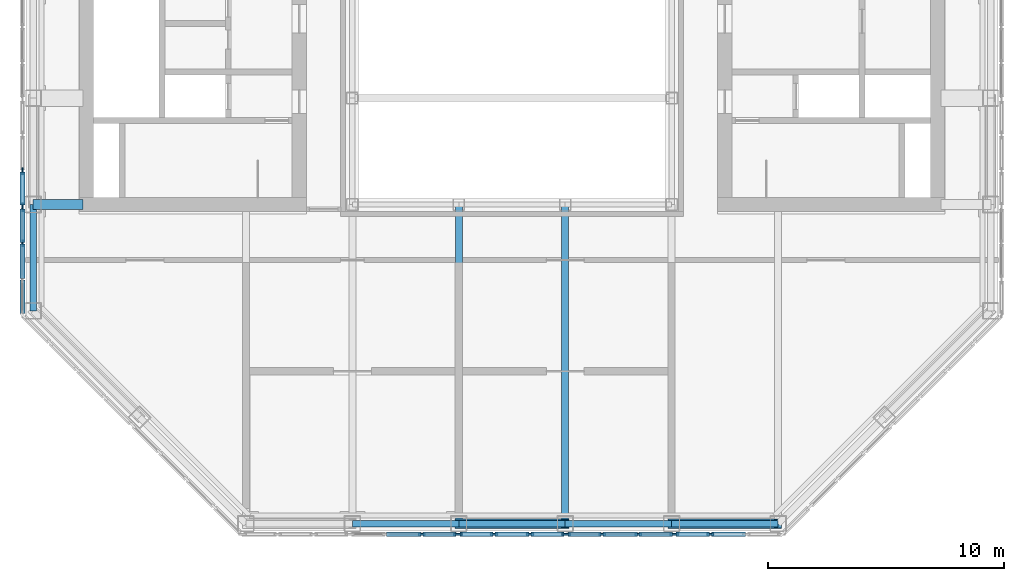
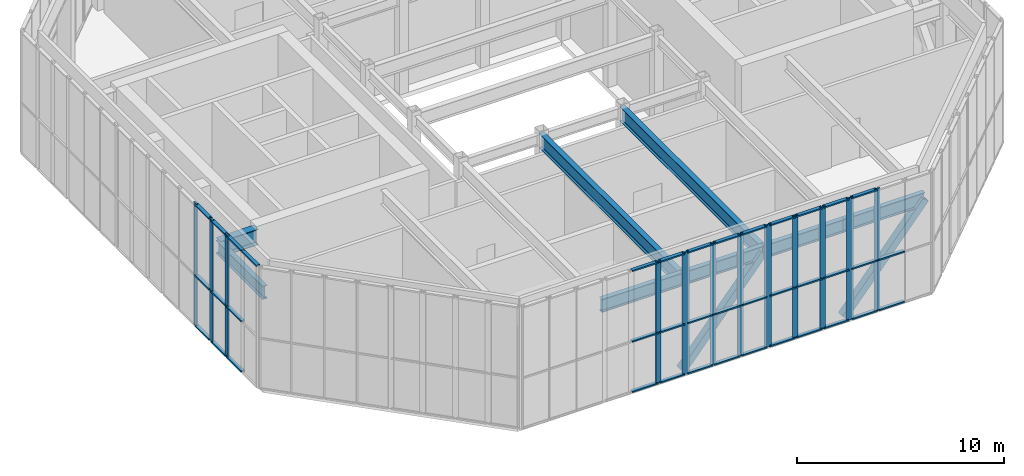
# One storey, part 3 of 15: 57 members, 8 beams, 6 elements without a shape of their own.
"""IFC4 building model written with IfcOpenShell, lengths in metres."""

from ifc_helpers import new_model, si_unit, direction, frame, origin, origin_2d, place, context, subcontext, project, spatial, rectangle, hollow_rectangle, i_section, extrude, material, material_profile, profile_set, type_object, element, aggregate, save


model = new_model("IFC4")

# Units and contexts
model_context = context("Model", 3, precision=1e-05, world=origin(), true_north=direction((0.0, 1.0)))
body_context = subcontext(model_context, "Body", "Model", "MODEL_VIEW")
ifc_project = project(units=[si_unit("LENGTHUNIT", "METRE"), si_unit("AREAUNIT", "SQUARE_METRE"), si_unit("VOLUMEUNIT", "CUBIC_METRE"), si_unit("PLANEANGLEUNIT", "RADIAN"), si_unit("MASSUNIT", "GRAM", prefix="KILO")], contexts=[model_context])

# Site, building, storey
site_placement = place(None, origin())
site = spatial("IfcSite", under=ifc_project, at=site_placement, CompositionType="ELEMENT")
building_placement = place(site_placement, origin())
building = spatial("IfcBuilding", under=site, at=building_placement, Name="Msasa Ring Tower", CompositionType="ELEMENT")
storey_placement = place(building_placement, frame((0.0, 0.0, 268.050048828125)))
storey = spatial("IfcBuildingStorey", under=building, at=storey_placement, Name="L69", CompositionType="ELEMENT", Elevation=268.050048828125)

# Curtain wall, members
ifc_material_1 = material(Name="Aluminium curtain wall with clear glass", Category="aluminium")
curtain_wall_type_1 = type_object("IfcCurtainWallType", Name="CW-L LANTERN CURTAIN WALL", PredefinedType="NOTDEFINED", material=ifc_material_1)
curtain_wall_1_placement = place(storey_placement, origin())
curtain_wall_1 = element("IfcCurtainWall", 1, at=curtain_wall_1_placement, inside=storey, type_object=curtain_wall_type_1, Name="Lantern curtain wall S2 L69", PredefinedType="NOTDEFINED")
ifc_material_2 = material(Name="Aluminium mullion", Category="aluminium")
ifc_material_profile_1 = material_profile(ifc_material_2, rectangle(XDim=0.080078125, YDim=0.300048828125, at=origin_2d()), Name="AL 80x300")
ifc_profile_set_1 = profile_set([ifc_material_profile_1], Name="Aluminium mullion")
member_type_1 = type_object("IfcMemberType", Name="CW-L MULLION 80x300", PredefinedType="MULLION", material=ifc_profile_set_1)
member_1_placement = place(storey_placement, frame((-3.81201171875, -20.699951171875, 0.0), z_axis=(0.0, 0.0, 1.0), x_axis=(0.0, 1.0, 0.0)))
member_1 = element("IfcMember", 2, at=member_1_placement, type_object=member_type_1, Name="CW-L mullion 3", PredefinedType="MULLION", context=body_context, shape_type="SweptSolid", body=[
    extrude(rectangle(XDim=0.080078125, YDim=0.300048828125, at=origin_2d()), origin(), (0.0, 0.0, 1.0), 7.199951171875),
])
member_2_placement = place(storey_placement, frame((-2.327392578125, -20.699951171875, 0.0), z_axis=(0.0, 0.0, 1.0), x_axis=(0.0, 1.0, 0.0)))
member_2 = element("IfcMember", 3, at=member_2_placement, type_object=member_type_1, Name="CW-L mullion 4", PredefinedType="MULLION", context=body_context, shape_type="SweptSolid", body=[
    extrude(rectangle(XDim=0.080078125, YDim=0.300048828125, at=origin_2d()), origin(), (0.0, 0.0, 1.0), 7.199951171875),
])

curtain_wall_2_placement = place(storey_placement, origin())
curtain_wall_2 = element("IfcCurtainWall", 4, at=curtain_wall_2_placement, inside=storey, type_object=curtain_wall_type_1, Name="Lantern curtain wall S4 L69", PredefinedType="NOTDEFINED")
member_3_placement = place(storey_placement, frame((2.327392578125, -20.699951171875, 0.0), z_axis=(0.0, 0.0, 1.0), x_axis=(0.0, 1.0, 0.0)))
member_3 = element("IfcMember", 5, at=member_3_placement, type_object=member_type_1, Name="CW-L mullion 1", PredefinedType="MULLION", context=body_context, shape_type="SweptSolid", body=[
    extrude(rectangle(XDim=0.080078125, YDim=0.300048828125, at=origin_2d()), origin(), (0.0, 0.0, 1.0), 7.199951171875),
])
member_4_placement = place(storey_placement, frame((3.81201171875, -20.699951171875, 0.0), z_axis=(0.0, 0.0, 1.0), x_axis=(0.0, 1.0, 0.0)))
member_4 = element("IfcMember", 6, at=member_4_placement, type_object=member_type_1, Name="CW-L mullion 2", PredefinedType="MULLION", context=body_context, shape_type="SweptSolid", body=[
    extrude(rectangle(XDim=0.080078125, YDim=0.300048828125, at=origin_2d()), origin(), (0.0, 0.0, 1.0), 7.199951171875),
])
member_5_placement = place(storey_placement, frame((5.3369140625, -20.699951171875, 0.0), z_axis=(0.0, 0.0, 1.0), x_axis=(0.0, 1.0, 0.0)))
member_5 = element("IfcMember", 7, at=member_5_placement, type_object=member_type_1, Name="CW-L mullion 3", PredefinedType="MULLION", context=body_context, shape_type="SweptSolid", body=[
    extrude(rectangle(XDim=0.080078125, YDim=0.300048828125, at=origin_2d()), origin(), (0.0, 0.0, 1.0), 7.199951171875),
])
member_6_placement = place(storey_placement, frame((6.82177734375, -20.699951171875, 0.0), z_axis=(0.0, 0.0, 1.0), x_axis=(0.0, 1.0, 0.0)))
member_6 = element("IfcMember", 8, at=member_6_placement, type_object=member_type_1, Name="CW-L mullion 4", PredefinedType="MULLION", context=body_context, shape_type="SweptSolid", body=[
    extrude(rectangle(XDim=0.080078125, YDim=0.300048828125, at=origin_2d()), origin(), (0.0, 0.0, 1.0), 7.199951171875),
])

curtain_wall_3_placement = place(storey_placement, origin())
curtain_wall_3 = element("IfcCurtainWall", 9, at=curtain_wall_3_placement, inside=storey, type_object=curtain_wall_type_1, Name="Lantern curtain wall W6 L69", PredefinedType="NOTDEFINED")
member_7_placement = place(storey_placement, frame((-20.699951171875, -6.90185546875, 0.0), z_axis=(0.0, 0.0, 1.0), x_axis=(1.0, 0.0, 0.0)))
member_7 = element("IfcMember", 10, at=member_7_placement, type_object=member_type_1, Name="CW-L mullion 1", PredefinedType="MULLION", context=body_context, shape_type="SweptSolid", body=[
    extrude(rectangle(XDim=0.080078125, YDim=0.300048828125, at=origin_2d()), origin(), (0.0, 0.0, 1.0), 7.199951171875),
])
member_8_placement = place(storey_placement, frame((-20.699951171875, -8.38671875, 0.0), z_axis=(0.0, 0.0, 1.0), x_axis=(1.0, 0.0, 0.0)))
member_8 = element("IfcMember", 11, at=member_8_placement, type_object=member_type_1, Name="CW-L mullion 2", PredefinedType="MULLION", context=body_context, shape_type="SweptSolid", body=[
    extrude(rectangle(XDim=0.080078125, YDim=0.300048828125, at=origin_2d()), origin(), (0.0, 0.0, 1.0), 7.199951171875),
])

# Member
ifc_material_3 = material(Name="Aluminium transom", Category="aluminium")
ifc_material_profile_2 = material_profile(ifc_material_3, rectangle(XDim=0.199951171875, YDim=0.080078125, at=origin_2d()), Name="AL 80x200")
ifc_profile_set_2 = profile_set([ifc_material_profile_2], Name="Aluminium transom")
member_type_2 = type_object("IfcMemberType", Name="CW-L TRANSOM 80x200", PredefinedType="USERDEFINED", material=ifc_profile_set_2)
member_9_placement = place(storey_placement, frame((-5.296875, -20.699951171875, 0.0400390625), z_axis=(1.0, 0.0, 0.0), x_axis=(0.0, 1.0, 0.0)))
member_9 = element("IfcMember", 12, at=member_9_placement, type_object=member_type_2, Name="CW-L transom 2.1", ObjectType="TRANSOM", PredefinedType="USERDEFINED", context=body_context, shape_type="SweptSolid", body=[
    extrude(rectangle(XDim=0.199951171875, YDim=0.080078125, at=origin_2d()), origin(), (0.0, 0.0, 1.0), 1.44482421875),
])

member_10_placement = place(storey_placement, frame((-5.296875, -20.699951171875, 3.0), z_axis=(1.0, 0.0, 0.0), x_axis=(0.0, 1.0, 0.0)))
member_10 = element("IfcMember", 13, at=member_10_placement, type_object=member_type_2, Name="CW-L transom 2.2", ObjectType="TRANSOM", PredefinedType="USERDEFINED", context=body_context, shape_type="SweptSolid", body=[
    extrude(rectangle(XDim=0.199951171875, YDim=0.080078125, at=origin_2d()), origin(), (0.0, 0.0, 1.0), 1.44482421875),
])

member_11_placement = place(storey_placement, frame((-5.296875, -20.699951171875, 7.159912109375), z_axis=(1.0, 0.0, 0.0), x_axis=(0.0, 1.0, 0.0)))
member_11 = element("IfcMember", 14, at=member_11_placement, type_object=member_type_2, Name="CW-L transom 2.3", ObjectType="TRANSOM", PredefinedType="USERDEFINED", context=body_context, shape_type="SweptSolid", body=[
    extrude(rectangle(XDim=0.199951171875, YDim=0.080078125, at=origin_2d()), origin(), (0.0, 0.0, 1.0), 1.44482421875),
])

member_12_placement = place(storey_placement, frame((-3.772216796875, -20.699951171875, 0.0400390625), z_axis=(1.0, 0.0, 0.0), x_axis=(0.0, 1.0, 0.0)))
member_12 = element("IfcMember", 15, at=member_12_placement, type_object=member_type_2, Name="CW-L transom 3.1", ObjectType="TRANSOM", PredefinedType="USERDEFINED", context=body_context, shape_type="SweptSolid", body=[
    extrude(rectangle(XDim=0.199951171875, YDim=0.080078125, at=origin_2d()), origin(), (0.0, 0.0, 1.0), 1.405029296875),
])

member_13_placement = place(storey_placement, frame((-3.772216796875, -20.699951171875, 3.0), z_axis=(1.0, 0.0, 0.0), x_axis=(0.0, 1.0, 0.0)))
member_13 = element("IfcMember", 16, at=member_13_placement, type_object=member_type_2, Name="CW-L transom 3.2", ObjectType="TRANSOM", PredefinedType="USERDEFINED", context=body_context, shape_type="SweptSolid", body=[
    extrude(rectangle(XDim=0.199951171875, YDim=0.080078125, at=origin_2d()), origin(), (0.0, 0.0, 1.0), 1.405029296875),
])

member_14_placement = place(storey_placement, frame((-3.772216796875, -20.699951171875, 7.159912109375), z_axis=(1.0, 0.0, 0.0), x_axis=(0.0, 1.0, 0.0)))
member_14 = element("IfcMember", 17, at=member_14_placement, type_object=member_type_2, Name="CW-L transom 3.3", ObjectType="TRANSOM", PredefinedType="USERDEFINED", context=body_context, shape_type="SweptSolid", body=[
    extrude(rectangle(XDim=0.199951171875, YDim=0.080078125, at=origin_2d()), origin(), (0.0, 0.0, 1.0), 1.405029296875),
])

aggregate(curtain_wall_1, [member_1, member_2, member_9, member_10, member_11, member_12, member_13, member_14])

member_15_placement = place(storey_placement, frame((2.3671875, -20.699951171875, 0.0400390625), z_axis=(1.0, 0.0, 0.0), x_axis=(0.0, 1.0, 0.0)))
member_15 = element("IfcMember", 18, at=member_15_placement, type_object=member_type_2, Name="CW-L transom 1.1", ObjectType="TRANSOM", PredefinedType="USERDEFINED", context=body_context, shape_type="SweptSolid", body=[
    extrude(rectangle(XDim=0.199951171875, YDim=0.080078125, at=origin_2d()), origin(), (0.0, 0.0, 1.0), 1.405029296875),
])

member_16_placement = place(storey_placement, frame((2.3671875, -20.699951171875, 3.0), z_axis=(1.0, 0.0, 0.0), x_axis=(0.0, 1.0, 0.0)))
member_16 = element("IfcMember", 19, at=member_16_placement, type_object=member_type_2, Name="CW-L transom 1.2", ObjectType="TRANSOM", PredefinedType="USERDEFINED", context=body_context, shape_type="SweptSolid", body=[
    extrude(rectangle(XDim=0.199951171875, YDim=0.080078125, at=origin_2d()), origin(), (0.0, 0.0, 1.0), 1.405029296875),
])

member_17_placement = place(storey_placement, frame((2.3671875, -20.699951171875, 7.159912109375), z_axis=(1.0, 0.0, 0.0), x_axis=(0.0, 1.0, 0.0)))
member_17 = element("IfcMember", 20, at=member_17_placement, type_object=member_type_2, Name="CW-L transom 1.3", ObjectType="TRANSOM", PredefinedType="USERDEFINED", context=body_context, shape_type="SweptSolid", body=[
    extrude(rectangle(XDim=0.199951171875, YDim=0.080078125, at=origin_2d()), origin(), (0.0, 0.0, 1.0), 1.405029296875),
])

member_18_placement = place(storey_placement, frame((3.85205078125, -20.699951171875, 0.0400390625), z_axis=(1.0, 0.0, 0.0), x_axis=(0.0, 1.0, 0.0)))
member_18 = element("IfcMember", 21, at=member_18_placement, type_object=member_type_2, Name="CW-L transom 2.1", ObjectType="TRANSOM", PredefinedType="USERDEFINED", context=body_context, shape_type="SweptSolid", body=[
    extrude(rectangle(XDim=0.199951171875, YDim=0.080078125, at=origin_2d()), origin(), (0.0, 0.0, 1.0), 1.44482421875),
])

member_19_placement = place(storey_placement, frame((3.85205078125, -20.699951171875, 3.0), z_axis=(1.0, 0.0, 0.0), x_axis=(0.0, 1.0, 0.0)))
member_19 = element("IfcMember", 22, at=member_19_placement, type_object=member_type_2, Name="CW-L transom 2.2", ObjectType="TRANSOM", PredefinedType="USERDEFINED", context=body_context, shape_type="SweptSolid", body=[
    extrude(rectangle(XDim=0.199951171875, YDim=0.080078125, at=origin_2d()), origin(), (0.0, 0.0, 1.0), 1.44482421875),
])

member_20_placement = place(storey_placement, frame((3.85205078125, -20.699951171875, 7.159912109375), z_axis=(1.0, 0.0, 0.0), x_axis=(0.0, 1.0, 0.0)))
member_20 = element("IfcMember", 23, at=member_20_placement, type_object=member_type_2, Name="CW-L transom 2.3", ObjectType="TRANSOM", PredefinedType="USERDEFINED", context=body_context, shape_type="SweptSolid", body=[
    extrude(rectangle(XDim=0.199951171875, YDim=0.080078125, at=origin_2d()), origin(), (0.0, 0.0, 1.0), 1.44482421875),
])

member_21_placement = place(storey_placement, frame((5.376953125, -20.699951171875, 0.0400390625), z_axis=(1.0, 0.0, 0.0), x_axis=(0.0, 1.0, 0.0)))
member_21 = element("IfcMember", 24, at=member_21_placement, type_object=member_type_2, Name="CW-L transom 3.1", ObjectType="TRANSOM", PredefinedType="USERDEFINED", context=body_context, shape_type="SweptSolid", body=[
    extrude(rectangle(XDim=0.199951171875, YDim=0.080078125, at=origin_2d()), origin(), (0.0, 0.0, 1.0), 1.40478515625),
])

member_22_placement = place(storey_placement, frame((5.376953125, -20.699951171875, 3.0), z_axis=(1.0, 0.0, 0.0), x_axis=(0.0, 1.0, 0.0)))
member_22 = element("IfcMember", 25, at=member_22_placement, type_object=member_type_2, Name="CW-L transom 3.2", ObjectType="TRANSOM", PredefinedType="USERDEFINED", context=body_context, shape_type="SweptSolid", body=[
    extrude(rectangle(XDim=0.199951171875, YDim=0.080078125, at=origin_2d()), origin(), (0.0, 0.0, 1.0), 1.40478515625),
])

member_23_placement = place(storey_placement, frame((5.376953125, -20.699951171875, 7.159912109375), z_axis=(1.0, 0.0, 0.0), x_axis=(0.0, 1.0, 0.0)))
member_23 = element("IfcMember", 26, at=member_23_placement, type_object=member_type_2, Name="CW-L transom 3.3", ObjectType="TRANSOM", PredefinedType="USERDEFINED", context=body_context, shape_type="SweptSolid", body=[
    extrude(rectangle(XDim=0.199951171875, YDim=0.080078125, at=origin_2d()), origin(), (0.0, 0.0, 1.0), 1.40478515625),
])

aggregate(curtain_wall_2, [member_3, member_4, member_5, member_6, member_15, member_16, member_17, member_18, member_19, member_20, member_21, member_22, member_23])

member_24_placement = place(storey_placement, frame((-20.699951171875, -6.94189453125, 0.0400390625), z_axis=(0.0, -1.0, 0.0), x_axis=(1.0, 0.0, 0.0)))
member_24 = element("IfcMember", 27, at=member_24_placement, type_object=member_type_2, Name="CW-L transom 1.1", ObjectType="TRANSOM", PredefinedType="USERDEFINED", context=body_context, shape_type="SweptSolid", body=[
    extrude(rectangle(XDim=0.199951171875, YDim=0.080078125, at=origin_2d()), origin(), (0.0, 0.0, 1.0), 1.40478515625),
])

member_25_placement = place(storey_placement, frame((-20.699951171875, -6.94189453125, 3.0), z_axis=(0.0, -1.0, 0.0), x_axis=(1.0, 0.0, 0.0)))
member_25 = element("IfcMember", 28, at=member_25_placement, type_object=member_type_2, Name="CW-L transom 1.2", ObjectType="TRANSOM", PredefinedType="USERDEFINED", context=body_context, shape_type="SweptSolid", body=[
    extrude(rectangle(XDim=0.199951171875, YDim=0.080078125, at=origin_2d()), origin(), (0.0, 0.0, 1.0), 1.40478515625),
])

member_26_placement = place(storey_placement, frame((-20.699951171875, -6.94189453125, 7.159912109375), z_axis=(0.0, -1.0, 0.0), x_axis=(1.0, 0.0, 0.0)))
member_26 = element("IfcMember", 29, at=member_26_placement, type_object=member_type_2, Name="CW-L transom 1.3", ObjectType="TRANSOM", PredefinedType="USERDEFINED", context=body_context, shape_type="SweptSolid", body=[
    extrude(rectangle(XDim=0.199951171875, YDim=0.080078125, at=origin_2d()), origin(), (0.0, 0.0, 1.0), 1.40478515625),
])

member_27_placement = place(storey_placement, frame((-20.699951171875, -8.4267578125, 0.0400390625), z_axis=(0.0, -1.0, 0.0), x_axis=(1.0, 0.0, 0.0)))
member_27 = element("IfcMember", 30, at=member_27_placement, type_object=member_type_2, Name="CW-L transom 2.1", ObjectType="TRANSOM", PredefinedType="USERDEFINED", context=body_context, shape_type="SweptSolid", body=[
    extrude(rectangle(XDim=0.199951171875, YDim=0.080078125, at=origin_2d()), origin(), (0.0, 0.0, 1.0), 1.44482421875),
])

member_28_placement = place(storey_placement, frame((-20.699951171875, -8.4267578125, 3.0), z_axis=(0.0, -1.0, 0.0), x_axis=(1.0, 0.0, 0.0)))
member_28 = element("IfcMember", 31, at=member_28_placement, type_object=member_type_2, Name="CW-L transom 2.2", ObjectType="TRANSOM", PredefinedType="USERDEFINED", context=body_context, shape_type="SweptSolid", body=[
    extrude(rectangle(XDim=0.199951171875, YDim=0.080078125, at=origin_2d()), origin(), (0.0, 0.0, 1.0), 1.44482421875),
])

member_29_placement = place(storey_placement, frame((-20.699951171875, -8.4267578125, 7.159912109375), z_axis=(0.0, -1.0, 0.0), x_axis=(1.0, 0.0, 0.0)))
member_29 = element("IfcMember", 32, at=member_29_placement, type_object=member_type_2, Name="CW-L transom 2.3", ObjectType="TRANSOM", PredefinedType="USERDEFINED", context=body_context, shape_type="SweptSolid", body=[
    extrude(rectangle(XDim=0.199951171875, YDim=0.080078125, at=origin_2d()), origin(), (0.0, 0.0, 1.0), 1.44482421875),
])

member_30_placement = place(storey_placement, frame((-20.699951171875, -9.951416015625, 7.159912109375), z_axis=(0.0, -1.0, 0.0), x_axis=(1.0, 0.0, 0.0)))
member_30 = element("IfcMember", 33, at=member_30_placement, type_object=member_type_2, Name="CW-L transom 3.3", ObjectType="TRANSOM", PredefinedType="USERDEFINED", context=body_context, shape_type="SweptSolid", body=[
    extrude(rectangle(XDim=0.199951171875, YDim=0.080078125, at=origin_2d()), origin(), (0.0, 0.0, 1.0), 1.405029296875),
])

aggregate(curtain_wall_3, [member_7, member_8, member_24, member_25, member_26, member_27, member_28, member_29, member_30])

# Curtain wall, members
ifc_material_4 = material(Name="Aluminium curtain wall with insulated terracotta-faced panels", Category="masonry")
curtain_wall_type_2 = type_object("IfcCurtainWallType", Name="CW-O OPAQUE LANTERN CURTAIN WALL", PredefinedType="NOTDEFINED", material=ifc_material_4)
curtain_wall_4_placement = place(storey_placement, origin())
curtain_wall_4 = element("IfcCurtainWall", 34, at=curtain_wall_4_placement, inside=storey, type_object=curtain_wall_type_2, Name="Lantern opaque curtain wall S3 L69", PredefinedType="NOTDEFINED")
ifc_material_5 = material(Name="Aluminium mullion", Category="aluminium")
ifc_material_profile_3 = material_profile(ifc_material_5, rectangle(XDim=0.080078125, YDim=0.300048828125, at=origin_2d()), Name="AL 80x300")
ifc_profile_set_3 = profile_set([ifc_material_profile_3], Name="Aluminium mullion")
member_type_3 = type_object("IfcMemberType", Name="CW-O MULLION 80x300", PredefinedType="MULLION", material=ifc_profile_set_3)
member_31_placement = place(storey_placement, frame((-2.247314453125, -20.699951171875, 0.0), z_axis=(0.0, 0.0, 1.0), x_axis=(0.0, 1.0, 0.0)))
member_31 = element("IfcMember", 35, at=member_31_placement, type_object=member_type_3, Name="CW-O mullion 1", PredefinedType="MULLION", context=body_context, shape_type="SweptSolid", body=[
    extrude(rectangle(XDim=0.080078125, YDim=0.300048828125, at=origin_2d()), origin(), (0.0, 0.0, 1.0), 7.199951171875),
])
member_32_placement = place(storey_placement, frame((-0.762451171875, -20.699951171875, 0.0), z_axis=(0.0, 0.0, 1.0), x_axis=(0.0, 1.0, 0.0)))
member_32 = element("IfcMember", 36, at=member_32_placement, type_object=member_type_3, Name="CW-O mullion 2", PredefinedType="MULLION", context=body_context, shape_type="SweptSolid", body=[
    extrude(rectangle(XDim=0.080078125, YDim=0.300048828125, at=origin_2d()), origin(), (0.0, 0.0, 1.0), 7.199951171875),
])
member_33_placement = place(storey_placement, frame((0.762451171875, -20.699951171875, 0.0), z_axis=(0.0, 0.0, 1.0), x_axis=(0.0, 1.0, 0.0)))
member_33 = element("IfcMember", 37, at=member_33_placement, type_object=member_type_3, Name="CW-O mullion 3", PredefinedType="MULLION", context=body_context, shape_type="SweptSolid", body=[
    extrude(rectangle(XDim=0.080078125, YDim=0.300048828125, at=origin_2d()), origin(), (0.0, 0.0, 1.0), 7.199951171875),
])
member_34_placement = place(storey_placement, frame((2.247314453125, -20.699951171875, 0.0), z_axis=(0.0, 0.0, 1.0), x_axis=(0.0, 1.0, 0.0)))
member_34 = element("IfcMember", 38, at=member_34_placement, type_object=member_type_3, Name="CW-O mullion 4", PredefinedType="MULLION", context=body_context, shape_type="SweptSolid", body=[
    extrude(rectangle(XDim=0.080078125, YDim=0.300048828125, at=origin_2d()), origin(), (0.0, 0.0, 1.0), 7.199951171875),
])

curtain_wall_5_placement = place(storey_placement, origin())
curtain_wall_5 = element("IfcCurtainWall", 39, at=curtain_wall_5_placement, inside=storey, type_object=curtain_wall_type_2, Name="Lantern opaque curtain wall S5 L69", PredefinedType="NOTDEFINED")
member_35_placement = place(storey_placement, frame((6.90185546875, -20.699951171875, 0.0), z_axis=(0.0, 0.0, 1.0), x_axis=(0.0, 1.0, 0.0)))
member_35 = element("IfcMember", 40, at=member_35_placement, type_object=member_type_3, Name="CW-O mullion 1", PredefinedType="MULLION", context=body_context, shape_type="SweptSolid", body=[
    extrude(rectangle(XDim=0.080078125, YDim=0.300048828125, at=origin_2d()), origin(), (0.0, 0.0, 1.0), 7.199951171875),
])
member_36_placement = place(storey_placement, frame((8.38671875, -20.699951171875, 0.0), z_axis=(0.0, 0.0, 1.0), x_axis=(0.0, 1.0, 0.0)))
member_36 = element("IfcMember", 41, at=member_36_placement, type_object=member_type_3, Name="CW-O mullion 2", PredefinedType="MULLION", context=body_context, shape_type="SweptSolid", body=[
    extrude(rectangle(XDim=0.080078125, YDim=0.300048828125, at=origin_2d()), origin(), (0.0, 0.0, 1.0), 7.199951171875),
])

curtain_wall_6_placement = place(storey_placement, origin())
curtain_wall_6 = element("IfcCurtainWall", 42, at=curtain_wall_6_placement, inside=storey, type_object=curtain_wall_type_2, Name="Lantern opaque curtain wall W5 L69", PredefinedType="NOTDEFINED")
member_37_placement = place(storey_placement, frame((-20.699951171875, -5.3369140625, 0.0), z_axis=(0.0, 0.0, 1.0), x_axis=(1.0, 0.0, 0.0)))
member_37 = element("IfcMember", 43, at=member_37_placement, type_object=member_type_3, Name="CW-O mullion 3", PredefinedType="MULLION", context=body_context, shape_type="SweptSolid", body=[
    extrude(rectangle(XDim=0.080078125, YDim=0.300048828125, at=origin_2d()), origin(), (0.0, 0.0, 1.0), 7.199951171875),
])
member_38_placement = place(storey_placement, frame((-20.699951171875, -6.82177734375, 0.0), z_axis=(0.0, 0.0, 1.0), x_axis=(1.0, 0.0, 0.0)))
member_38 = element("IfcMember", 44, at=member_38_placement, type_object=member_type_3, Name="CW-O mullion 4", PredefinedType="MULLION", context=body_context, shape_type="SweptSolid", body=[
    extrude(rectangle(XDim=0.080078125, YDim=0.300048828125, at=origin_2d()), origin(), (0.0, 0.0, 1.0), 7.199951171875),
])

# Member
ifc_material_6 = material(Name="Aluminium transom", Category="aluminium")
ifc_material_profile_4 = material_profile(ifc_material_6, rectangle(XDim=0.199951171875, YDim=0.080078125, at=origin_2d()), Name="AL 80x200")
ifc_profile_set_4 = profile_set([ifc_material_profile_4], Name="Aluminium transom")
member_type_4 = type_object("IfcMemberType", Name="CW-O TRANSOM 80x200", PredefinedType="USERDEFINED", material=ifc_profile_set_4)
member_39_placement = place(storey_placement, frame((-2.207275390625, -20.699951171875, 0.0400390625), z_axis=(1.0, 0.0, 0.0), x_axis=(0.0, 1.0, 0.0)))
member_39 = element("IfcMember", 45, at=member_39_placement, type_object=member_type_4, Name="CW-O transom 1.1", ObjectType="TRANSOM", PredefinedType="USERDEFINED", context=body_context, shape_type="SweptSolid", body=[
    extrude(rectangle(XDim=0.199951171875, YDim=0.080078125, at=origin_2d()), origin(), (0.0, 0.0, 1.0), 1.40478515625),
])

member_40_placement = place(storey_placement, frame((-2.207275390625, -20.699951171875, 3.0), z_axis=(1.0, 0.0, 0.0), x_axis=(0.0, 1.0, 0.0)))
member_40 = element("IfcMember", 46, at=member_40_placement, type_object=member_type_4, Name="CW-O transom 1.2", ObjectType="TRANSOM", PredefinedType="USERDEFINED", context=body_context, shape_type="SweptSolid", body=[
    extrude(rectangle(XDim=0.199951171875, YDim=0.080078125, at=origin_2d()), origin(), (0.0, 0.0, 1.0), 1.40478515625),
])

member_41_placement = place(storey_placement, frame((-2.207275390625, -20.699951171875, 7.159912109375), z_axis=(1.0, 0.0, 0.0), x_axis=(0.0, 1.0, 0.0)))
member_41 = element("IfcMember", 47, at=member_41_placement, type_object=member_type_4, Name="CW-O transom 1.3", ObjectType="TRANSOM", PredefinedType="USERDEFINED", context=body_context, shape_type="SweptSolid", body=[
    extrude(rectangle(XDim=0.199951171875, YDim=0.080078125, at=origin_2d()), origin(), (0.0, 0.0, 1.0), 1.40478515625),
])

member_42_placement = place(storey_placement, frame((-0.722412109375, -20.699951171875, 0.0400390625), z_axis=(1.0, 0.0, 0.0), x_axis=(0.0, 1.0, 0.0)))
member_42 = element("IfcMember", 48, at=member_42_placement, type_object=member_type_4, Name="CW-O transom 2.1", ObjectType="TRANSOM", PredefinedType="USERDEFINED", context=body_context, shape_type="SweptSolid", body=[
    extrude(rectangle(XDim=0.199951171875, YDim=0.080078125, at=origin_2d()), origin(), (0.0, 0.0, 1.0), 1.44482421875),
])

member_43_placement = place(storey_placement, frame((-0.722412109375, -20.699951171875, 3.0), z_axis=(1.0, 0.0, 0.0), x_axis=(0.0, 1.0, 0.0)))
member_43 = element("IfcMember", 49, at=member_43_placement, type_object=member_type_4, Name="CW-O transom 2.2", ObjectType="TRANSOM", PredefinedType="USERDEFINED", context=body_context, shape_type="SweptSolid", body=[
    extrude(rectangle(XDim=0.199951171875, YDim=0.080078125, at=origin_2d()), origin(), (0.0, 0.0, 1.0), 1.44482421875),
])

member_44_placement = place(storey_placement, frame((-0.722412109375, -20.699951171875, 7.159912109375), z_axis=(1.0, 0.0, 0.0), x_axis=(0.0, 1.0, 0.0)))
member_44 = element("IfcMember", 50, at=member_44_placement, type_object=member_type_4, Name="CW-O transom 2.3", ObjectType="TRANSOM", PredefinedType="USERDEFINED", context=body_context, shape_type="SweptSolid", body=[
    extrude(rectangle(XDim=0.199951171875, YDim=0.080078125, at=origin_2d()), origin(), (0.0, 0.0, 1.0), 1.44482421875),
])

member_45_placement = place(storey_placement, frame((0.802490234375, -20.699951171875, 0.0400390625), z_axis=(1.0, 0.0, 0.0), x_axis=(0.0, 1.0, 0.0)))
member_45 = element("IfcMember", 51, at=member_45_placement, type_object=member_type_4, Name="CW-O transom 3.1", ObjectType="TRANSOM", PredefinedType="USERDEFINED", context=body_context, shape_type="SweptSolid", body=[
    extrude(rectangle(XDim=0.199951171875, YDim=0.080078125, at=origin_2d()), origin(), (0.0, 0.0, 1.0), 1.40478515625),
])

member_46_placement = place(storey_placement, frame((0.802490234375, -20.699951171875, 3.0), z_axis=(1.0, 0.0, 0.0), x_axis=(0.0, 1.0, 0.0)))
member_46 = element("IfcMember", 52, at=member_46_placement, type_object=member_type_4, Name="CW-O transom 3.2", ObjectType="TRANSOM", PredefinedType="USERDEFINED", context=body_context, shape_type="SweptSolid", body=[
    extrude(rectangle(XDim=0.199951171875, YDim=0.080078125, at=origin_2d()), origin(), (0.0, 0.0, 1.0), 1.40478515625),
])

member_47_placement = place(storey_placement, frame((0.802490234375, -20.699951171875, 7.159912109375), z_axis=(1.0, 0.0, 0.0), x_axis=(0.0, 1.0, 0.0)))
member_47 = element("IfcMember", 53, at=member_47_placement, type_object=member_type_4, Name="CW-O transom 3.3", ObjectType="TRANSOM", PredefinedType="USERDEFINED", context=body_context, shape_type="SweptSolid", body=[
    extrude(rectangle(XDim=0.199951171875, YDim=0.080078125, at=origin_2d()), origin(), (0.0, 0.0, 1.0), 1.40478515625),
])

aggregate(curtain_wall_4, [member_31, member_32, member_33, member_34, member_39, member_40, member_41, member_42, member_43, member_44, member_45, member_46, member_47])

member_48_placement = place(storey_placement, frame((6.94189453125, -20.699951171875, 0.0400390625), z_axis=(1.0, 0.0, 0.0), x_axis=(0.0, 1.0, 0.0)))
member_48 = element("IfcMember", 54, at=member_48_placement, type_object=member_type_4, Name="CW-O transom 1.1", ObjectType="TRANSOM", PredefinedType="USERDEFINED", context=body_context, shape_type="SweptSolid", body=[
    extrude(rectangle(XDim=0.199951171875, YDim=0.080078125, at=origin_2d()), origin(), (0.0, 0.0, 1.0), 1.40478515625),
])

member_49_placement = place(storey_placement, frame((6.94189453125, -20.699951171875, 3.0), z_axis=(1.0, 0.0, 0.0), x_axis=(0.0, 1.0, 0.0)))
member_49 = element("IfcMember", 55, at=member_49_placement, type_object=member_type_4, Name="CW-O transom 1.2", ObjectType="TRANSOM", PredefinedType="USERDEFINED", context=body_context, shape_type="SweptSolid", body=[
    extrude(rectangle(XDim=0.199951171875, YDim=0.080078125, at=origin_2d()), origin(), (0.0, 0.0, 1.0), 1.40478515625),
])

member_50_placement = place(storey_placement, frame((6.94189453125, -20.699951171875, 7.159912109375), z_axis=(1.0, 0.0, 0.0), x_axis=(0.0, 1.0, 0.0)))
member_50 = element("IfcMember", 56, at=member_50_placement, type_object=member_type_4, Name="CW-O transom 1.3", ObjectType="TRANSOM", PredefinedType="USERDEFINED", context=body_context, shape_type="SweptSolid", body=[
    extrude(rectangle(XDim=0.199951171875, YDim=0.080078125, at=origin_2d()), origin(), (0.0, 0.0, 1.0), 1.40478515625),
])

member_51_placement = place(storey_placement, frame((8.4267578125, -20.699951171875, 0.0400390625), z_axis=(1.0, 0.0, 0.0), x_axis=(0.0, 1.0, 0.0)))
member_51 = element("IfcMember", 57, at=member_51_placement, type_object=member_type_4, Name="CW-O transom 2.1", ObjectType="TRANSOM", PredefinedType="USERDEFINED", context=body_context, shape_type="SweptSolid", body=[
    extrude(rectangle(XDim=0.199951171875, YDim=0.080078125, at=origin_2d()), origin(), (0.0, 0.0, 1.0), 1.44482421875),
])

member_52_placement = place(storey_placement, frame((8.4267578125, -20.699951171875, 3.0), z_axis=(1.0, 0.0, 0.0), x_axis=(0.0, 1.0, 0.0)))
member_52 = element("IfcMember", 58, at=member_52_placement, type_object=member_type_4, Name="CW-O transom 2.2", ObjectType="TRANSOM", PredefinedType="USERDEFINED", context=body_context, shape_type="SweptSolid", body=[
    extrude(rectangle(XDim=0.199951171875, YDim=0.080078125, at=origin_2d()), origin(), (0.0, 0.0, 1.0), 1.44482421875),
])

aggregate(curtain_wall_5, [member_35, member_36, member_48, member_49, member_50, member_51, member_52])

member_53_placement = place(storey_placement, frame((-20.699951171875, -5.376953125, 0.0400390625), z_axis=(0.0, -1.0, 0.0), x_axis=(1.0, 0.0, 0.0)))
member_53 = element("IfcMember", 59, at=member_53_placement, type_object=member_type_4, Name="CW-O transom 3.1", ObjectType="TRANSOM", PredefinedType="USERDEFINED", context=body_context, shape_type="SweptSolid", body=[
    extrude(rectangle(XDim=0.199951171875, YDim=0.080078125, at=origin_2d()), origin(), (0.0, 0.0, 1.0), 1.40478515625),
])

member_54_placement = place(storey_placement, frame((-20.699951171875, -5.376953125, 3.0), z_axis=(0.0, -1.0, 0.0), x_axis=(1.0, 0.0, 0.0)))
member_54 = element("IfcMember", 60, at=member_54_placement, type_object=member_type_4, Name="CW-O transom 3.2", ObjectType="TRANSOM", PredefinedType="USERDEFINED", context=body_context, shape_type="SweptSolid", body=[
    extrude(rectangle(XDim=0.199951171875, YDim=0.080078125, at=origin_2d()), origin(), (0.0, 0.0, 1.0), 1.40478515625),
])

member_55_placement = place(storey_placement, frame((-20.699951171875, -5.376953125, 7.159912109375), z_axis=(0.0, -1.0, 0.0), x_axis=(1.0, 0.0, 0.0)))
member_55 = element("IfcMember", 61, at=member_55_placement, type_object=member_type_4, Name="CW-O transom 3.3", ObjectType="TRANSOM", PredefinedType="USERDEFINED", context=body_context, shape_type="SweptSolid", body=[
    extrude(rectangle(XDim=0.199951171875, YDim=0.080078125, at=origin_2d()), origin(), (0.0, 0.0, 1.0), 1.40478515625),
])

aggregate(curtain_wall_6, [member_37, member_38, member_53, member_54, member_55])

# Beams
ifc_material_7 = material(Name="Steel S355", Category="steel")
ifc_material_profile_5 = material_profile(ifc_material_7, i_section(OverallWidth=0.293701171875, OverallDepth=0.850830078125, WebThickness=0.01611328125, FlangeThickness=0.02685546875, FilletRadius=0.017822265625, at=origin_2d()), Name="UB 838x292x226")
ifc_profile_set_5 = profile_set([ifc_material_profile_5], Name="Steel S355")
beam_type_1 = type_object("IfcBeamType", Name="FB5 UB 838x292x226", PredefinedType="BEAM", material=ifc_profile_set_5)
for number, where, z_axis, x_axis, name in (
    (62, (-2.25, -20.25, 5.324462890625), (0.0, 1.0, 0.0), (-1.0, 0.0, 0.0), "Floor beam S-2.25 under roof"),
    (63, (2.25, -20.25, 5.324462890625), (0.0, 1.0, 0.0), (-1.0, 0.0, 0.0), "Floor beam S+2.25 under roof"),
):
    element("IfcBeam", number, at=place(storey_placement, frame(where, z_axis=z_axis, x_axis=x_axis)), inside=storey, type_object=beam_type_1, Name=name, PredefinedType="BEAM", context=body_context, shape_type="SweptSolid", body=[
        extrude(i_section(OverallWidth=0.293701171875, OverallDepth=0.850830078125, WebThickness=0.01611328125, FlangeThickness=0.02685546875, FilletRadius=0.017822265625, at=origin_2d()), origin(), (0.0, 0.0, 1.0), 13.5),
    ])
ifc_material_8 = material(Name="Steel S355", Category="steel")
ifc_material_profile_6 = material_profile(ifc_material_8, i_section(OverallWidth=0.42041015625, OverallDepth=0.9208984375, WebThickness=0.021484375, FlangeThickness=0.03662109375, FilletRadius=0.024169921875, at=origin_2d()), Name="UB 914x419x388")
ifc_profile_set_6 = profile_set([ifc_material_profile_6], Name="Steel S355")
beam_type_2 = type_object("IfcBeamType", Name="GB1 UB 914x419x388", PredefinedType="BEAM", material=ifc_profile_set_6)
beam_placement = place(storey_placement, frame((-18.14990234375, -6.75, 5.28955078125), z_axis=(-1.0, 0.0, 0.0), x_axis=(0.0, -1.0, 0.0)))
element("IfcBeam", 64, at=beam_placement, inside=storey, type_object=beam_type_2, Name="Girder W -6.75 under roof", PredefinedType="BEAM", context=body_context, shape_type="SweptSolid", body=[
    extrude(i_section(OverallWidth=0.42041015625, OverallDepth=0.9208984375, WebThickness=0.021484375, FlangeThickness=0.03662109375, FilletRadius=0.024169921875, at=origin_2d()), origin(), (0.0, 0.0, 1.0), 2.10009765625),
])

# Members
ifc_material_9 = material(Name="Steel S355", Category="steel")
ifc_material_profile_7 = material_profile(ifc_material_9, hollow_rectangle(XDim=0.39990234375, YDim=0.39990234375, WallThickness=0.02001953125, at=origin_2d()), Name="SHS 400x400x20")
ifc_profile_set_7 = profile_set([ifc_material_profile_7], Name="Steel S355")
member_type_5 = type_object("IfcMemberType", Name="HT1 SHS 400x400x20", PredefinedType="BRACE", material=ifc_profile_set_7)
for number, where, z_axis, x_axis, name in (
    (65, (-2.25, -20.25, 0.0), (0.642639992049, 0.0, 0.766168284791), (0.0, 1.0, 0.0), "Hat truss brace S-2.25 L69"),
    (66, (6.75, -20.25, 0.0), (0.642639992049, 0.0, 0.766168284791), (0.0, 1.0, 0.0), "Hat truss brace S+6.75 L69"),
):
    element("IfcMember", number, at=place(storey_placement, frame(where, z_axis=z_axis, x_axis=x_axis)), inside=storey, type_object=member_type_5, Name=name, PredefinedType="BRACE", context=body_context, shape_type="SweptSolid", body=[
        extrude(hollow_rectangle(XDim=0.39990234375, YDim=0.39990234375, WallThickness=0.02001953125, at=origin_2d()), origin(), (0.0, 0.0, 1.0), 7.00244140625),
    ])

# Beams
ifc_material_10 = material(Name="Steel S355", Category="steel")
ifc_material_profile_8 = material_profile(ifc_material_10, i_section(OverallWidth=0.26806640625, OverallDepth=0.769775390625, WebThickness=0.015625, FlangeThickness=0.025390625, FilletRadius=0.0166015625, at=origin_2d()), Name="UB 762x267x197")
ifc_profile_set_8 = profile_set([ifc_material_profile_8], Name="Steel S355")
beam_type_3 = type_object("IfcBeamType", Name="SB4 UB 762x267x197", PredefinedType="SPANDREL", material=ifc_profile_set_8)
for number, where, z_axis, x_axis, name in (
    (67, (-20.25, -6.75, 5.364990234375), (0.0, -1.0, 0.0), (1.0, 0.0, 0.0), "Spandrel W-6.75 to W-11.25 under roof"),
    (68, (-6.75, -20.25, 5.364990234375), (1.0, 0.0, 0.0), (0.0, 1.0, 0.0), "Spandrel S-6.75 to S-2.25 under roof"),
    (69, (-2.25, -20.25, 5.364990234375), (1.0, 0.0, 0.0), (0.0, 1.0, 0.0), "Spandrel S-2.25 to S+2.25 under roof"),
    (70, (2.25, -20.25, 5.364990234375), (1.0, 0.0, 0.0), (0.0, 1.0, 0.0), "Spandrel S+2.25 to S+6.75 under roof"),
    (71, (6.75, -20.25, 5.364990234375), (1.0, 0.0, 0.0), (0.0, 1.0, 0.0), "Spandrel S+6.75 to S+11.25 under roof"),
):
    element("IfcBeam", number, at=place(storey_placement, frame(where, z_axis=z_axis, x_axis=x_axis)), inside=storey, type_object=beam_type_3, Name=name, PredefinedType="SPANDREL", context=body_context, shape_type="SweptSolid", body=[
        extrude(i_section(OverallWidth=0.26806640625, OverallDepth=0.769775390625, WebThickness=0.015625, FlangeThickness=0.025390625, FilletRadius=0.0166015625, at=origin_2d()), origin(), (0.0, 0.0, 1.0), 4.5),
    ])

save(model, "model.ifc")
